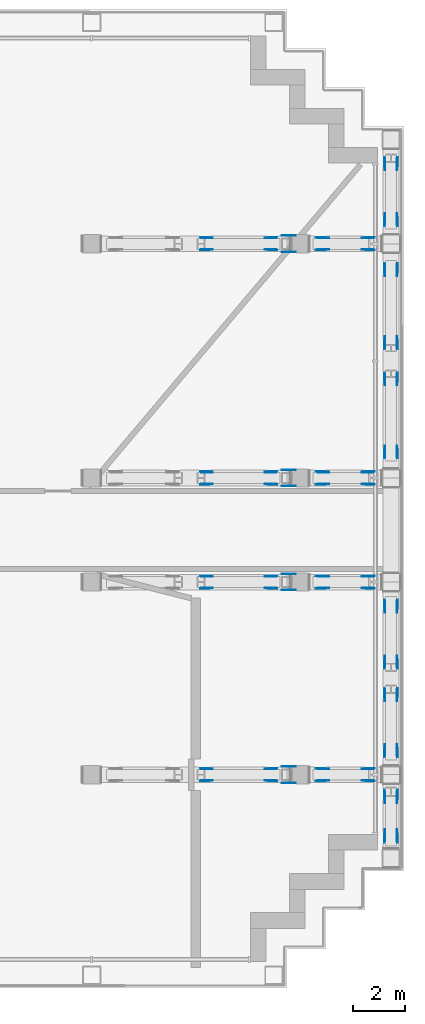
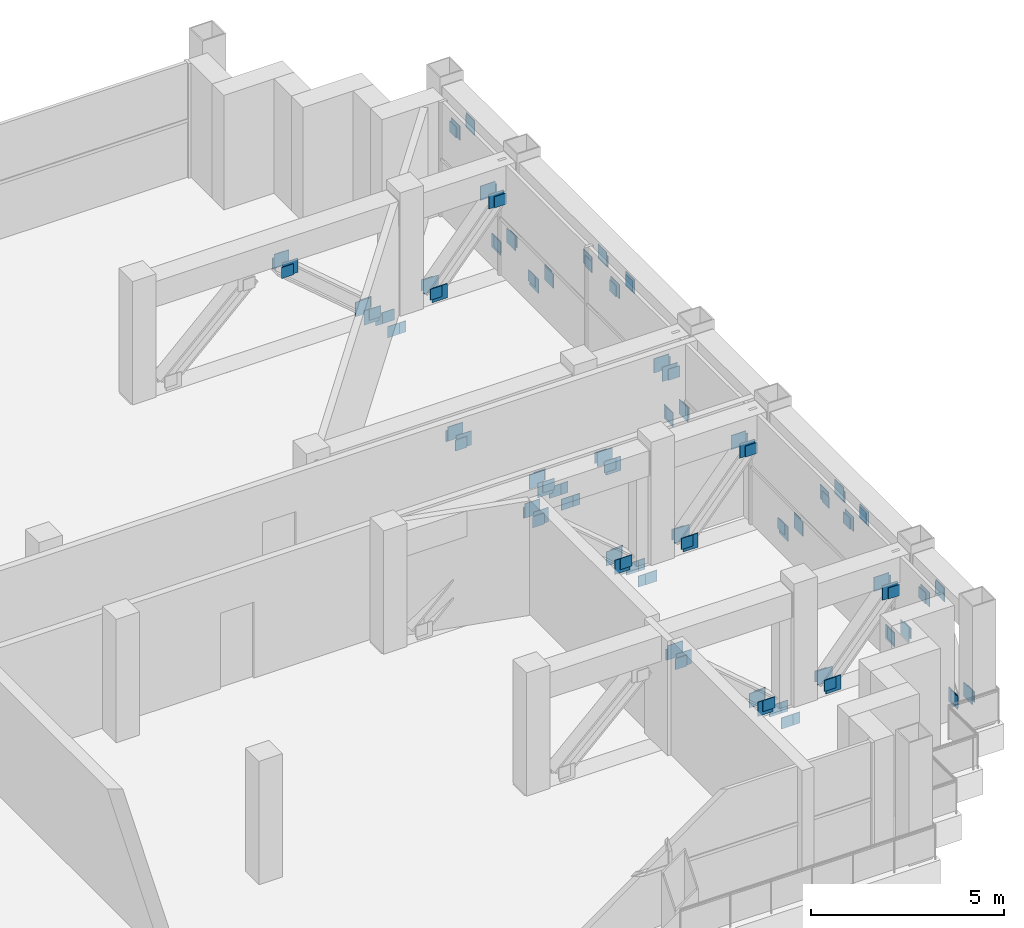
# One storey, part 17 of 21: 128 discrete accessories.
"""IFC4 building model written with IfcOpenShell, lengths in metres."""

from ifc_helpers import new_model, si_unit, direction, frame, origin, origin_2d, place, context, subcontext, project, spatial, rectangle, extrude, element, save


model = new_model("IFC4")

# Units and contexts
model_context = context("Model", 3, precision=1e-05, world=origin(), true_north=direction((0.0, 1.0)))
body_context = subcontext(model_context, "Body", "Model", "MODEL_VIEW")
ifc_project = project(units=[si_unit("LENGTHUNIT", "METRE"), si_unit("AREAUNIT", "SQUARE_METRE"), si_unit("VOLUMEUNIT", "CUBIC_METRE"), si_unit("PLANEANGLEUNIT", "RADIAN"), si_unit("MASSUNIT", "GRAM", prefix="KILO")], contexts=[model_context])

# Site, building, storey
site_placement = place(None, origin())
site = spatial("IfcSite", under=ifc_project, at=site_placement, CompositionType="ELEMENT")
building_placement = place(site_placement, origin())
building = spatial("IfcBuilding", under=site, at=building_placement, Name="Vidyagriha Tower", CompositionType="ELEMENT")
storey_placement = place(building_placement, frame((0.0, 0.0, 161.39990234375)))
storey = spatial("IfcBuildingStorey", under=building, at=storey_placement, Name="L41", CompositionType="ELEMENT", Elevation=161.39990234375)

# Discrete accessories
for number, where, name in (
    (1, (30.431884765625, -9.17822265625, 2.3701171875), "Truss gusset plate ASTM A572 Grade 50 20mm"),
    (2, (30.431884765625, -9.621826171875, 2.3701171875), "Truss gusset plate ASTM A572 Grade 50 20mm"),
    (3, (32.8681640625, -9.17822265625, 0.0), "Truss gusset plate ASTM A572 Grade 50 20mm"),
    (4, (32.8681640625, -9.621826171875, 0.0), "Truss gusset plate ASTM A572 Grade 50 20mm"),
    (5, (34.9033203125, -9.17822265625, 0.0), "Truss gusset plate ASTM A572 Grade 50 20mm"),
    (6, (34.9033203125, -9.621826171875, 0.0), "Truss gusset plate ASTM A572 Grade 50 20mm"),
    (7, (36.5966796875, -9.17822265625, 2.3701171875), "Truss gusset plate ASTM A572 Grade 50 20mm"),
    (8, (36.5966796875, -9.621826171875, 2.3701171875), "Truss gusset plate ASTM A572 Grade 50 20mm"),
    (9, (30.431884765625, -1.778076171875, 2.3701171875), "Truss gusset plate ASTM A572 Grade 50 20mm"),
    (10, (30.431884765625, -2.221923828125, 2.3701171875), "Truss gusset plate ASTM A572 Grade 50 20mm"),
    (11, (32.8681640625, -1.778076171875, 0.0), "Truss gusset plate ASTM A572 Grade 50 20mm"),
    (12, (32.8681640625, -2.221923828125, 0.0), "Truss gusset plate ASTM A572 Grade 50 20mm"),
    (13, (34.9033203125, -1.778076171875, 0.0), "Truss gusset plate ASTM A572 Grade 50 20mm"),
    (14, (34.9033203125, -2.221923828125, 0.0), "Truss gusset plate ASTM A572 Grade 50 20mm"),
    (15, (36.5966796875, -1.778076171875, 2.3701171875), "Truss gusset plate ASTM A572 Grade 50 20mm"),
    (16, (36.5966796875, -2.221923828125, 2.3701171875), "Truss gusset plate ASTM A572 Grade 50 20mm"),
    (17, (30.431884765625, 2.221923828125, 2.3701171875), "Truss gusset plate ASTM A572 Grade 50 20mm"),
    (18, (30.431884765625, 1.778076171875, 2.3701171875), "Truss gusset plate ASTM A572 Grade 50 20mm"),
    (19, (32.8681640625, 2.221923828125, 0.0), "Truss gusset plate ASTM A572 Grade 50 20mm"),
    (20, (32.8681640625, 1.778076171875, 0.0), "Truss gusset plate ASTM A572 Grade 50 20mm"),
    (21, (34.9033203125, 2.221923828125, 0.0), "Truss gusset plate ASTM A572 Grade 50 20mm"),
    (22, (34.9033203125, 1.778076171875, 0.0), "Truss gusset plate ASTM A572 Grade 50 20mm"),
    (23, (36.5966796875, 2.221923828125, 2.3701171875), "Truss gusset plate ASTM A572 Grade 50 20mm"),
    (24, (36.5966796875, 1.778076171875, 2.3701171875), "Truss gusset plate ASTM A572 Grade 50 20mm"),
    (25, (30.431884765625, 11.221923828125, 2.3701171875), "Truss gusset plate ASTM A572 Grade 50 20mm"),
    (26, (30.431884765625, 10.778076171875, 2.3701171875), "Truss gusset plate ASTM A572 Grade 50 20mm"),
    (27, (32.8681640625, 11.221923828125, 0.0), "Truss gusset plate ASTM A572 Grade 50 20mm"),
    (28, (32.8681640625, 10.778076171875, 0.0), "Truss gusset plate ASTM A572 Grade 50 20mm"),
    (29, (34.9033203125, 11.221923828125, 0.0), "Truss gusset plate ASTM A572 Grade 50 20mm"),
    (30, (34.9033203125, 10.778076171875, 0.0), "Truss gusset plate ASTM A572 Grade 50 20mm"),
    (31, (36.5966796875, 11.221923828125, 2.3701171875), "Truss gusset plate ASTM A572 Grade 50 20mm"),
    (32, (36.5966796875, 10.778076171875, 2.3701171875), "Truss gusset plate ASTM A572 Grade 50 20mm"),
):
    element("IfcDiscreteAccessory", number, at=place(storey_placement, frame(where)), inside=storey, Name=name, ObjectType="GUSSET PLATE", PredefinedType="USERDEFINED", context=body_context, shape_type="SweptSolid", body=[
        extrude(rectangle(XDim=0.449951171875, YDim=0.02001953125, at=origin_2d()), origin(), (0.0, 0.0, 1.0), 0.449951171875),
    ])
for number, where, z_axis, x_axis, name in (
    (33, (37.278076171875, -11.7216796875, 0.0), (0.0, 0.0, 1.0), (0.0, 1.0, 0.0), "Truss gusset plate ASTM A572 Grade 50 20mm"),
    (34, (37.721923828125, -11.7216796875, 0.0), (0.0, 0.0, 1.0), (0.0, 1.0, 0.0), "Truss gusset plate ASTM A572 Grade 50 20mm"),
    (35, (37.278076171875, -10.2783203125, 2.3701171875), (0.0, 0.0, 1.0), (0.0, 1.0, 0.0), "Truss gusset plate ASTM A572 Grade 50 20mm"),
    (36, (37.721923828125, -10.2783203125, 2.3701171875), (0.0, 0.0, 1.0), (0.0, 1.0, 0.0), "Truss gusset plate ASTM A572 Grade 50 20mm"),
    (37, (37.278076171875, -8.45361328125, 0.0), (0.0, 0.0, 1.0), (0.0, 1.0, 0.0), "Truss gusset plate ASTM A572 Grade 50 20mm"),
    (38, (37.721923828125, -8.45361328125, 0.0), (0.0, 0.0, 1.0), (0.0, 1.0, 0.0), "Truss gusset plate ASTM A572 Grade 50 20mm"),
    (39, (37.278076171875, -6.34619140625, 2.3701171875), (0.0, 0.0, 1.0), (0.0, 1.0, 0.0), "Truss gusset plate ASTM A572 Grade 50 20mm"),
    (40, (37.721923828125, -6.34619140625, 2.3701171875), (0.0, 0.0, 1.0), (0.0, 1.0, 0.0), "Truss gusset plate ASTM A572 Grade 50 20mm"),
    (41, (37.278076171875, -5.0537109375, 2.3701171875), (0.0, 0.0, 1.0), (0.0, 1.0, 0.0), "Truss gusset plate ASTM A572 Grade 50 20mm"),
    (42, (37.721923828125, -5.0537109375, 2.3701171875), (0.0, 0.0, 1.0), (0.0, 1.0, 0.0), "Truss gusset plate ASTM A572 Grade 50 20mm"),
    (43, (37.278076171875, -2.9462890625, 0.0), (0.0, 0.0, 1.0), (0.0, 1.0, 0.0), "Truss gusset plate ASTM A572 Grade 50 20mm"),
    (44, (37.721923828125, -2.9462890625, 0.0), (0.0, 0.0, 1.0), (0.0, 1.0, 0.0), "Truss gusset plate ASTM A572 Grade 50 20mm"),
    (45, (37.278076171875, 3.017578125, 0.0), (0.0, 0.0, 1.0), (0.0, 1.0, 0.0), "Truss gusset plate ASTM A572 Grade 50 20mm"),
    (46, (37.721923828125, 3.017578125, 0.0), (0.0, 0.0, 1.0), (0.0, 1.0, 0.0), "Truss gusset plate ASTM A572 Grade 50 20mm"),
    (47, (37.278076171875, 5.782470703125, 2.3701171875), (0.0, 0.0, 1.0), (0.0, 1.0, 0.0), "Truss gusset plate ASTM A572 Grade 50 20mm"),
    (48, (37.721923828125, 5.782470703125, 2.3701171875), (0.0, 0.0, 1.0), (0.0, 1.0, 0.0), "Truss gusset plate ASTM A572 Grade 50 20mm"),
    (49, (37.278076171875, 7.217529296875, 2.3701171875), (0.0, 0.0, 1.0), (0.0, 1.0, 0.0), "Truss gusset plate ASTM A572 Grade 50 20mm"),
    (50, (37.721923828125, 7.217529296875, 2.3701171875), (0.0, 0.0, 1.0), (0.0, 1.0, 0.0), "Truss gusset plate ASTM A572 Grade 50 20mm"),
    (51, (37.278076171875, 9.982421875, 0.0), (0.0, 0.0, 1.0), (0.0, 1.0, 0.0), "Truss gusset plate ASTM A572 Grade 50 20mm"),
    (52, (37.721923828125, 9.982421875, 0.0), (0.0, 0.0, 1.0), (0.0, 1.0, 0.0), "Truss gusset plate ASTM A572 Grade 50 20mm"),
    (53, (37.278076171875, 11.9462890625, 0.0), (0.0, 0.0, 1.0), (0.0, 1.0, 0.0), "Truss gusset plate ASTM A572 Grade 50 20mm"),
    (54, (37.721923828125, 11.9462890625, 0.0), (0.0, 0.0, 1.0), (0.0, 1.0, 0.0), "Truss gusset plate ASTM A572 Grade 50 20mm"),
    (55, (37.278076171875, 14.0537109375, 2.3701171875), (0.0, 0.0, 1.0), (0.0, 1.0, 0.0), "Truss gusset plate ASTM A572 Grade 50 20mm"),
    (56, (37.721923828125, 14.0537109375, 2.3701171875), (0.0, 0.0, 1.0), (0.0, 1.0, 0.0), "Truss gusset plate ASTM A572 Grade 50 20mm"),
):
    element("IfcDiscreteAccessory", number, at=place(storey_placement, frame(where, z_axis=z_axis, x_axis=x_axis)), inside=storey, Name=name, ObjectType="GUSSET PLATE", PredefinedType="USERDEFINED", context=body_context, shape_type="SweptSolid", body=[
        extrude(rectangle(XDim=0.449951171875, YDim=0.02001953125, at=origin_2d()), origin(), (0.0, 0.0, 1.0), 0.449951171875),
    ])
for number, where, name in (
    (57, (33.469970703125, -9.090087890625, -0.574951171875), "End plate ASTM A572 Grade 50 20mm"),
    (58, (33.469970703125, -9.7099609375, -0.574951171875), "End plate ASTM A572 Grade 50 20mm"),
):
    element("IfcDiscreteAccessory", number, at=place(storey_placement, frame(where)), inside=storey, Name=name, ObjectType="END PLATE", PredefinedType="USERDEFINED", context=body_context, shape_type="SweptSolid", body=[
        extrude(rectangle(XDim=0.35009765625, YDim=0.02001953125, at=origin_2d()), origin(), (0.0, 0.0, 1.0), 0.35009765625),
    ])
for number, where, z_axis, x_axis, name in (
    (59, (30.33984375, -9.642333984375, 2.354736328125), (0.0, 0.0, 1.0), (-1.0, 0.0, 0.0), "End plate ASTM A572 Grade 50 20mm"),
    (60, (30.33984375, -9.15771484375, 2.354736328125), (0.0, 0.0, 1.0), (-1.0, 0.0, 0.0), "End plate ASTM A572 Grade 50 20mm"),
):
    element("IfcDiscreteAccessory", number, at=place(storey_placement, frame(where, z_axis=z_axis, x_axis=x_axis)), inside=storey, Name=name, ObjectType="END PLATE", PredefinedType="USERDEFINED", context=body_context, shape_type="SweptSolid", body=[
        extrude(rectangle(XDim=0.35009765625, YDim=0.02001953125, at=origin_2d()), origin(), (0.0, 0.0, 1.0), 0.35009765625),
    ])
for number, where, name in (
    (61, (32.960205078125, -9.15771484375, 0.115478515625), "End plate ASTM A572 Grade 50 20mm"),
    (62, (32.960205078125, -9.642333984375, 0.115478515625), "End plate ASTM A572 Grade 50 20mm"),
):
    element("IfcDiscreteAccessory", number, at=place(storey_placement, frame(where)), inside=storey, Name=name, ObjectType="END PLATE", PredefinedType="USERDEFINED", context=body_context, shape_type="SweptSolid", body=[
        extrude(rectangle(XDim=0.35009765625, YDim=0.02001953125, at=origin_2d()), origin(), (0.0, 0.0, 1.0), 0.35009765625),
    ])
for number, where, z_axis, x_axis, name in (
    (63, (33.675048828125, -9.7099609375, -0.574951171875), (0.0, 0.0, 1.0), (-1.0, 0.0, 0.0), "End plate ASTM A572 Grade 50 20mm"),
    (64, (33.675048828125, -9.090087890625, -0.574951171875), (0.0, 0.0, 1.0), (-1.0, 0.0, 0.0), "End plate ASTM A572 Grade 50 20mm"),
    (65, (34.79150390625, -9.642333984375, 0.10888671875), (0.0, 0.0, 1.0), (-1.0, 0.0, 0.0), "End plate ASTM A572 Grade 50 20mm"),
    (66, (34.79150390625, -9.15771484375, 0.10888671875), (0.0, 0.0, 1.0), (-1.0, 0.0, 0.0), "End plate ASTM A572 Grade 50 20mm"),
):
    element("IfcDiscreteAccessory", number, at=place(storey_placement, frame(where, z_axis=z_axis, x_axis=x_axis)), inside=storey, Name=name, ObjectType="END PLATE", PredefinedType="USERDEFINED", context=body_context, shape_type="SweptSolid", body=[
        extrude(rectangle(XDim=0.35009765625, YDim=0.02001953125, at=origin_2d()), origin(), (0.0, 0.0, 1.0), 0.35009765625),
    ])
for number, where, name in (
    (67, (36.70849609375, -9.15771484375, 2.361083984375), "End plate ASTM A572 Grade 50 20mm"),
    (68, (36.70849609375, -9.642333984375, 2.361083984375), "End plate ASTM A572 Grade 50 20mm"),
    (69, (33.469970703125, -1.68994140625, -0.574951171875), "End plate ASTM A572 Grade 50 20mm"),
    (70, (33.469970703125, -2.31005859375, -0.574951171875), "End plate ASTM A572 Grade 50 20mm"),
):
    element("IfcDiscreteAccessory", number, at=place(storey_placement, frame(where)), inside=storey, Name=name, ObjectType="END PLATE", PredefinedType="USERDEFINED", context=body_context, shape_type="SweptSolid", body=[
        extrude(rectangle(XDim=0.35009765625, YDim=0.02001953125, at=origin_2d()), origin(), (0.0, 0.0, 1.0), 0.35009765625),
    ])
for number, where, z_axis, x_axis, name in (
    (71, (30.33984375, -2.242431640625, 2.354736328125), (0.0, 0.0, 1.0), (-1.0, 0.0, 0.0), "End plate ASTM A572 Grade 50 20mm"),
    (72, (30.33984375, -1.757568359375, 2.354736328125), (0.0, 0.0, 1.0), (-1.0, 0.0, 0.0), "End plate ASTM A572 Grade 50 20mm"),
):
    element("IfcDiscreteAccessory", number, at=place(storey_placement, frame(where, z_axis=z_axis, x_axis=x_axis)), inside=storey, Name=name, ObjectType="END PLATE", PredefinedType="USERDEFINED", context=body_context, shape_type="SweptSolid", body=[
        extrude(rectangle(XDim=0.35009765625, YDim=0.02001953125, at=origin_2d()), origin(), (0.0, 0.0, 1.0), 0.35009765625),
    ])
for number, where, name in (
    (73, (32.960205078125, -1.757568359375, 0.115478515625), "End plate ASTM A572 Grade 50 20mm"),
    (74, (32.960205078125, -2.242431640625, 0.115478515625), "End plate ASTM A572 Grade 50 20mm"),
):
    element("IfcDiscreteAccessory", number, at=place(storey_placement, frame(where)), inside=storey, Name=name, ObjectType="END PLATE", PredefinedType="USERDEFINED", context=body_context, shape_type="SweptSolid", body=[
        extrude(rectangle(XDim=0.35009765625, YDim=0.02001953125, at=origin_2d()), origin(), (0.0, 0.0, 1.0), 0.35009765625),
    ])
for number, where, z_axis, x_axis, name in (
    (75, (33.675048828125, -2.31005859375, -0.574951171875), (0.0, 0.0, 1.0), (-1.0, 0.0, 0.0), "End plate ASTM A572 Grade 50 20mm"),
    (76, (33.675048828125, -1.68994140625, -0.574951171875), (0.0, 0.0, 1.0), (-1.0, 0.0, 0.0), "End plate ASTM A572 Grade 50 20mm"),
    (77, (34.79150390625, -2.242431640625, 0.10888671875), (0.0, 0.0, 1.0), (-1.0, 0.0, 0.0), "End plate ASTM A572 Grade 50 20mm"),
    (78, (34.79150390625, -1.757568359375, 0.10888671875), (0.0, 0.0, 1.0), (-1.0, 0.0, 0.0), "End plate ASTM A572 Grade 50 20mm"),
):
    element("IfcDiscreteAccessory", number, at=place(storey_placement, frame(where, z_axis=z_axis, x_axis=x_axis)), inside=storey, Name=name, ObjectType="END PLATE", PredefinedType="USERDEFINED", context=body_context, shape_type="SweptSolid", body=[
        extrude(rectangle(XDim=0.35009765625, YDim=0.02001953125, at=origin_2d()), origin(), (0.0, 0.0, 1.0), 0.35009765625),
    ])
for number, where, name in (
    (79, (36.70849609375, -1.757568359375, 2.361083984375), "End plate ASTM A572 Grade 50 20mm"),
    (80, (36.70849609375, -2.242431640625, 2.361083984375), "End plate ASTM A572 Grade 50 20mm"),
    (81, (33.469970703125, 2.31005859375, -0.574951171875), "End plate ASTM A572 Grade 50 20mm"),
    (82, (33.469970703125, 1.68994140625, -0.574951171875), "End plate ASTM A572 Grade 50 20mm"),
):
    element("IfcDiscreteAccessory", number, at=place(storey_placement, frame(where)), inside=storey, Name=name, ObjectType="END PLATE", PredefinedType="USERDEFINED", context=body_context, shape_type="SweptSolid", body=[
        extrude(rectangle(XDim=0.35009765625, YDim=0.02001953125, at=origin_2d()), origin(), (0.0, 0.0, 1.0), 0.35009765625),
    ])
for number, where, z_axis, x_axis, name in (
    (83, (30.33984375, 1.757568359375, 2.354736328125), (0.0, 0.0, 1.0), (-1.0, 0.0, 0.0), "End plate ASTM A572 Grade 50 20mm"),
    (84, (30.33984375, 2.242431640625, 2.354736328125), (0.0, 0.0, 1.0), (-1.0, 0.0, 0.0), "End plate ASTM A572 Grade 50 20mm"),
):
    element("IfcDiscreteAccessory", number, at=place(storey_placement, frame(where, z_axis=z_axis, x_axis=x_axis)), inside=storey, Name=name, ObjectType="END PLATE", PredefinedType="USERDEFINED", context=body_context, shape_type="SweptSolid", body=[
        extrude(rectangle(XDim=0.35009765625, YDim=0.02001953125, at=origin_2d()), origin(), (0.0, 0.0, 1.0), 0.35009765625),
    ])
for number, where, name in (
    (85, (32.960205078125, 2.242431640625, 0.115478515625), "End plate ASTM A572 Grade 50 20mm"),
    (86, (32.960205078125, 1.757568359375, 0.115478515625), "End plate ASTM A572 Grade 50 20mm"),
):
    element("IfcDiscreteAccessory", number, at=place(storey_placement, frame(where)), inside=storey, Name=name, ObjectType="END PLATE", PredefinedType="USERDEFINED", context=body_context, shape_type="SweptSolid", body=[
        extrude(rectangle(XDim=0.35009765625, YDim=0.02001953125, at=origin_2d()), origin(), (0.0, 0.0, 1.0), 0.35009765625),
    ])
for number, where, z_axis, x_axis, name in (
    (87, (33.675048828125, 1.68994140625, -0.574951171875), (0.0, 0.0, 1.0), (-1.0, 0.0, 0.0), "End plate ASTM A572 Grade 50 20mm"),
    (88, (33.675048828125, 2.31005859375, -0.574951171875), (0.0, 0.0, 1.0), (-1.0, 0.0, 0.0), "End plate ASTM A572 Grade 50 20mm"),
    (89, (34.79150390625, 1.757568359375, 0.10888671875), (0.0, 0.0, 1.0), (-1.0, 0.0, 0.0), "End plate ASTM A572 Grade 50 20mm"),
    (90, (34.79150390625, 2.242431640625, 0.10888671875), (0.0, 0.0, 1.0), (-1.0, 0.0, 0.0), "End plate ASTM A572 Grade 50 20mm"),
):
    element("IfcDiscreteAccessory", number, at=place(storey_placement, frame(where, z_axis=z_axis, x_axis=x_axis)), inside=storey, Name=name, ObjectType="END PLATE", PredefinedType="USERDEFINED", context=body_context, shape_type="SweptSolid", body=[
        extrude(rectangle(XDim=0.35009765625, YDim=0.02001953125, at=origin_2d()), origin(), (0.0, 0.0, 1.0), 0.35009765625),
    ])
for number, where, name in (
    (91, (36.70849609375, 2.242431640625, 2.361083984375), "End plate ASTM A572 Grade 50 20mm"),
    (92, (36.70849609375, 1.757568359375, 2.361083984375), "End plate ASTM A572 Grade 50 20mm"),
    (93, (33.469970703125, 11.31005859375, -0.574951171875), "End plate ASTM A572 Grade 50 20mm"),
    (94, (33.469970703125, 10.68994140625, -0.574951171875), "End plate ASTM A572 Grade 50 20mm"),
):
    element("IfcDiscreteAccessory", number, at=place(storey_placement, frame(where)), inside=storey, Name=name, ObjectType="END PLATE", PredefinedType="USERDEFINED", context=body_context, shape_type="SweptSolid", body=[
        extrude(rectangle(XDim=0.35009765625, YDim=0.02001953125, at=origin_2d()), origin(), (0.0, 0.0, 1.0), 0.35009765625),
    ])
for number, where, z_axis, x_axis, name in (
    (95, (30.33984375, 10.757568359375, 2.354736328125), (0.0, 0.0, 1.0), (-1.0, 0.0, 0.0), "End plate ASTM A572 Grade 50 20mm"),
    (96, (30.33984375, 11.242431640625, 2.354736328125), (0.0, 0.0, 1.0), (-1.0, 0.0, 0.0), "End plate ASTM A572 Grade 50 20mm"),
):
    element("IfcDiscreteAccessory", number, at=place(storey_placement, frame(where, z_axis=z_axis, x_axis=x_axis)), inside=storey, Name=name, ObjectType="END PLATE", PredefinedType="USERDEFINED", context=body_context, shape_type="SweptSolid", body=[
        extrude(rectangle(XDim=0.35009765625, YDim=0.02001953125, at=origin_2d()), origin(), (0.0, 0.0, 1.0), 0.35009765625),
    ])
for number, where, name in (
    (97, (32.960205078125, 11.242431640625, 0.115478515625), "End plate ASTM A572 Grade 50 20mm"),
    (98, (32.960205078125, 10.757568359375, 0.115478515625), "End plate ASTM A572 Grade 50 20mm"),
):
    element("IfcDiscreteAccessory", number, at=place(storey_placement, frame(where)), inside=storey, Name=name, ObjectType="END PLATE", PredefinedType="USERDEFINED", context=body_context, shape_type="SweptSolid", body=[
        extrude(rectangle(XDim=0.35009765625, YDim=0.02001953125, at=origin_2d()), origin(), (0.0, 0.0, 1.0), 0.35009765625),
    ])
for number, where, z_axis, x_axis, name in (
    (99, (33.675048828125, 10.68994140625, -0.574951171875), (0.0, 0.0, 1.0), (-1.0, 0.0, 0.0), "End plate ASTM A572 Grade 50 20mm"),
    (100, (33.675048828125, 11.31005859375, -0.574951171875), (0.0, 0.0, 1.0), (-1.0, 0.0, 0.0), "End plate ASTM A572 Grade 50 20mm"),
    (101, (34.79150390625, 10.757568359375, 0.10888671875), (0.0, 0.0, 1.0), (-1.0, 0.0, 0.0), "End plate ASTM A572 Grade 50 20mm"),
    (102, (34.79150390625, 11.242431640625, 0.10888671875), (0.0, 0.0, 1.0), (-1.0, 0.0, 0.0), "End plate ASTM A572 Grade 50 20mm"),
):
    element("IfcDiscreteAccessory", number, at=place(storey_placement, frame(where, z_axis=z_axis, x_axis=x_axis)), inside=storey, Name=name, ObjectType="END PLATE", PredefinedType="USERDEFINED", context=body_context, shape_type="SweptSolid", body=[
        extrude(rectangle(XDim=0.35009765625, YDim=0.02001953125, at=origin_2d()), origin(), (0.0, 0.0, 1.0), 0.35009765625),
    ])
for number, where, name in (
    (103, (36.70849609375, 11.242431640625, 2.361083984375), "End plate ASTM A572 Grade 50 20mm"),
    (104, (36.70849609375, 10.757568359375, 2.361083984375), "End plate ASTM A572 Grade 50 20mm"),
):
    element("IfcDiscreteAccessory", number, at=place(storey_placement, frame(where)), inside=storey, Name=name, ObjectType="END PLATE", PredefinedType="USERDEFINED", context=body_context, shape_type="SweptSolid", body=[
        extrude(rectangle(XDim=0.35009765625, YDim=0.02001953125, at=origin_2d()), origin(), (0.0, 0.0, 1.0), 0.35009765625),
    ])
for number, where, z_axis, x_axis, name in (
    (105, (37.742431640625, -11.842041015625, 0.104248046875), (0.0, 0.0, 1.0), (0.0, -1.0, 0.0), "End plate ASTM A572 Grade 50 20mm"),
    (106, (37.257568359375, -11.842041015625, 0.104248046875), (0.0, 0.0, 1.0), (0.0, -1.0, 0.0), "End plate ASTM A572 Grade 50 20mm"),
    (107, (37.257568359375, -10.157958984375, 2.365966796875), (0.0, 0.0, 1.0), (0.0, 1.0, 0.0), "End plate ASTM A572 Grade 50 20mm"),
    (108, (37.742431640625, -10.157958984375, 2.365966796875), (0.0, 0.0, 1.0), (0.0, 1.0, 0.0), "End plate ASTM A572 Grade 50 20mm"),
    (109, (37.742431640625, -8.55322265625, 0.11376953125), (0.0, 0.0, 1.0), (0.0, -1.0, 0.0), "End plate ASTM A572 Grade 50 20mm"),
    (110, (37.257568359375, -8.55322265625, 0.11376953125), (0.0, 0.0, 1.0), (0.0, -1.0, 0.0), "End plate ASTM A572 Grade 50 20mm"),
    (111, (37.257568359375, -6.246826171875, 2.3564453125), (0.0, 0.0, 1.0), (0.0, 1.0, 0.0), "End plate ASTM A572 Grade 50 20mm"),
    (112, (37.742431640625, -6.246826171875, 2.3564453125), (0.0, 0.0, 1.0), (0.0, 1.0, 0.0), "End plate ASTM A572 Grade 50 20mm"),
    (113, (37.742431640625, -5.1533203125, 2.3564453125), (0.0, 0.0, 1.0), (0.0, -1.0, 0.0), "End plate ASTM A572 Grade 50 20mm"),
    (114, (37.257568359375, -5.1533203125, 2.3564453125), (0.0, 0.0, 1.0), (0.0, -1.0, 0.0), "End plate ASTM A572 Grade 50 20mm"),
    (115, (37.257568359375, -2.8466796875, 0.11376953125), (0.0, 0.0, 1.0), (0.0, 1.0, 0.0), "End plate ASTM A572 Grade 50 20mm"),
    (116, (37.742431640625, -2.8466796875, 0.11376953125), (0.0, 0.0, 1.0), (0.0, 1.0, 0.0), "End plate ASTM A572 Grade 50 20mm"),
    (117, (37.742431640625, 2.931640625, 0.115966796875), (0.0, 0.0, 1.0), (0.0, -1.0, 0.0), "End plate ASTM A572 Grade 50 20mm"),
    (118, (37.257568359375, 2.931640625, 0.115966796875), (0.0, 0.0, 1.0), (0.0, -1.0, 0.0), "End plate ASTM A572 Grade 50 20mm"),
    (119, (37.257568359375, 5.868408203125, 2.354248046875), (0.0, 0.0, 1.0), (0.0, 1.0, 0.0), "End plate ASTM A572 Grade 50 20mm"),
    (120, (37.742431640625, 5.868408203125, 2.354248046875), (0.0, 0.0, 1.0), (0.0, 1.0, 0.0), "End plate ASTM A572 Grade 50 20mm"),
    (121, (37.742431640625, 7.131591796875, 2.354248046875), (0.0, 0.0, 1.0), (0.0, -1.0, 0.0), "End plate ASTM A572 Grade 50 20mm"),
    (122, (37.257568359375, 7.131591796875, 2.354248046875), (0.0, 0.0, 1.0), (0.0, -1.0, 0.0), "End plate ASTM A572 Grade 50 20mm"),
    (123, (37.257568359375, 10.068359375, 0.115966796875), (0.0, 0.0, 1.0), (0.0, 1.0, 0.0), "End plate ASTM A572 Grade 50 20mm"),
    (124, (37.742431640625, 10.068359375, 0.115966796875), (0.0, 0.0, 1.0), (0.0, 1.0, 0.0), "End plate ASTM A572 Grade 50 20mm"),
    (125, (37.742431640625, 11.8466796875, 0.11376953125), (0.0, 0.0, 1.0), (0.0, -1.0, 0.0), "End plate ASTM A572 Grade 50 20mm"),
    (126, (37.257568359375, 11.8466796875, 0.11376953125), (0.0, 0.0, 1.0), (0.0, -1.0, 0.0), "End plate ASTM A572 Grade 50 20mm"),
    (127, (37.257568359375, 14.1533203125, 2.3564453125), (0.0, 0.0, 1.0), (0.0, 1.0, 0.0), "End plate ASTM A572 Grade 50 20mm"),
    (128, (37.742431640625, 14.1533203125, 2.3564453125), (0.0, 0.0, 1.0), (0.0, 1.0, 0.0), "End plate ASTM A572 Grade 50 20mm"),
):
    element("IfcDiscreteAccessory", number, at=place(storey_placement, frame(where, z_axis=z_axis, x_axis=x_axis)), inside=storey, Name=name, ObjectType="END PLATE", PredefinedType="USERDEFINED", context=body_context, shape_type="SweptSolid", body=[
        extrude(rectangle(XDim=0.35009765625, YDim=0.02001953125, at=origin_2d()), origin(), (0.0, 0.0, 1.0), 0.35009765625),
    ])

save(model, "model.ifc")
